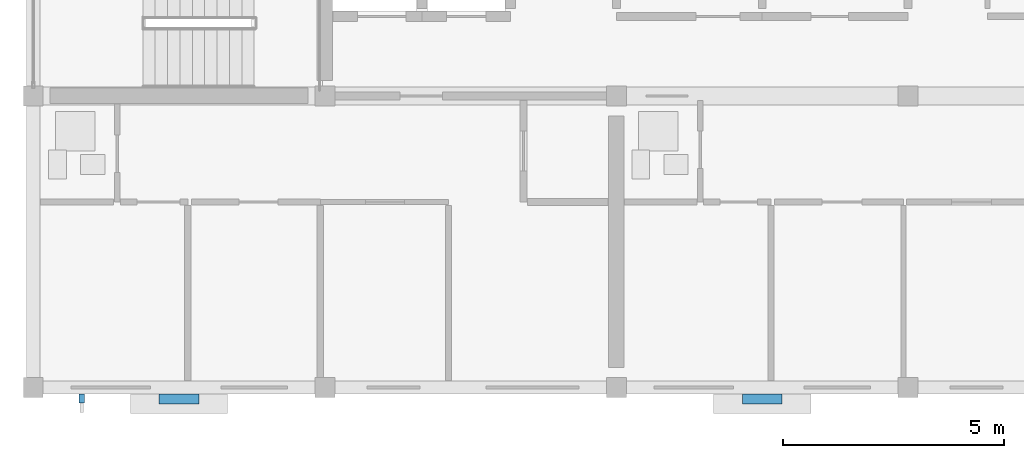
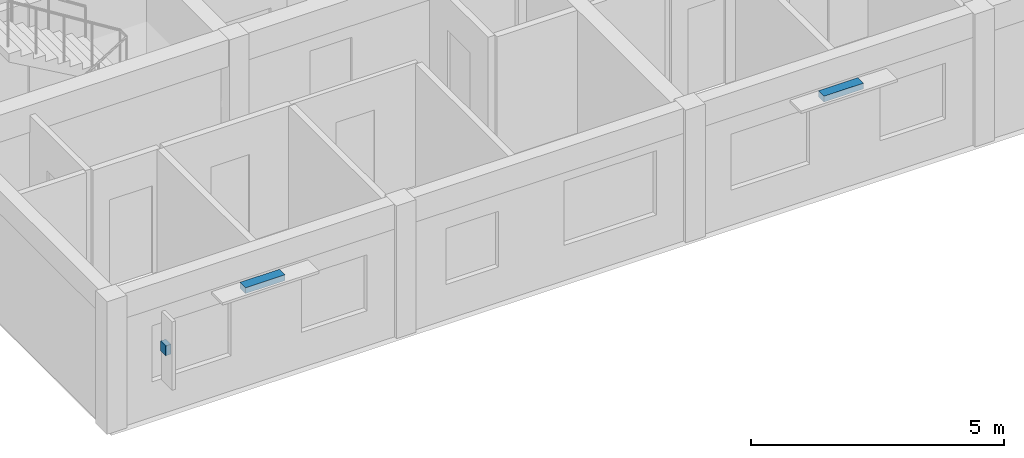
# One storey, part 42 of 52: 3 discrete accessories.
"""IFC4 building model written with IfcOpenShell, lengths in metres."""

from ifc_helpers import new_model, si_unit, direction, frame, origin, origin_2d, place, context, subcontext, project, spatial, rectangle, extrude, material, type_object, element, save


model = new_model("IFC4")

# Units and contexts
model_context = context("Model", 3, precision=1e-05, world=origin(), true_north=direction((0.0, 1.0)))
body_context = subcontext(model_context, "Body", "Model", "MODEL_VIEW")
ifc_project = project(units=[si_unit("LENGTHUNIT", "METRE"), si_unit("AREAUNIT", "SQUARE_METRE"), si_unit("VOLUMEUNIT", "CUBIC_METRE"), si_unit("PLANEANGLEUNIT", "RADIAN"), si_unit("MASSUNIT", "GRAM", prefix="KILO")], contexts=[model_context])

# Site, building, storey
site_placement = place(None, origin())
site = spatial("IfcSite", under=ifc_project, at=site_placement, CompositionType="ELEMENT")
building_placement = place(site_placement, origin())
building = spatial("IfcBuilding", under=site, at=building_placement, Name="Kernevlak Ridge Housing Community", CompositionType="ELEMENT")
storey_placement = place(building_placement, frame((0.0, 0.0, 11.60009765625)))
storey = spatial("IfcBuildingStorey", under=building, at=storey_placement, Name="L03", CompositionType="ELEMENT", Elevation=11.60009765625)

# Discrete accessories
ifc_material = material(Name="Steel S355 galvanised", Category="steel")
discrete_accessory_type = type_object("IfcDiscreteAccessoryType", Name="BK-01", PredefinedType="BRACKET", material=ifc_material)
discrete_accessory_1_placement = place(storey_placement, frame((18.89990234375, 15.340087890625, 2.41015625), z_axis=(0.0, 0.0, 1.0), x_axis=(1.0, 0.0, 0.0)))
element("IfcDiscreteAccessory", 1, at=discrete_accessory_1_placement, inside=storey, type_object=discrete_accessory_type, Name="Sunshade steel bracket 39", PredefinedType="BRACKET", context=body_context, shape_type="SweptSolid", body=[
    extrude(rectangle(XDim=0.89990234375, YDim=0.219970703125, at=origin_2d()), origin(), (0.0, 0.0, 1.0), 0.139892578125),
])
discrete_accessory_2_placement = place(storey_placement, frame((16.699951171875, 15.35009765625, 1.52978515625), z_axis=(0.0, 0.0, 1.0), x_axis=(1.0, 0.0, 0.0)))
element("IfcDiscreteAccessory", 2, at=discrete_accessory_2_placement, inside=storey, type_object=discrete_accessory_type, Name="Vertical fin fixing bracket 39", PredefinedType="BRACKET", context=body_context, shape_type="SweptSolid", body=[
    extrude(rectangle(XDim=0.1201171875, YDim=0.199951171875, at=origin_2d()), origin(), (0.0, 0.0, 1.0), 0.239990234375),
])
discrete_accessory_3_placement = place(storey_placement, frame((32.10009765625, 15.340087890625, 2.41015625), z_axis=(0.0, 0.0, 1.0), x_axis=(1.0, 0.0, 0.0)))
element("IfcDiscreteAccessory", 3, at=discrete_accessory_3_placement, inside=storey, type_object=discrete_accessory_type, Name="Sunshade steel bracket 40", PredefinedType="BRACKET", context=body_context, shape_type="SweptSolid", body=[
    extrude(rectangle(XDim=0.89990234375, YDim=0.219970703125, at=origin_2d()), origin(), (0.0, 0.0, 1.0), 0.139892578125),
])

save(model, "model.ifc")
